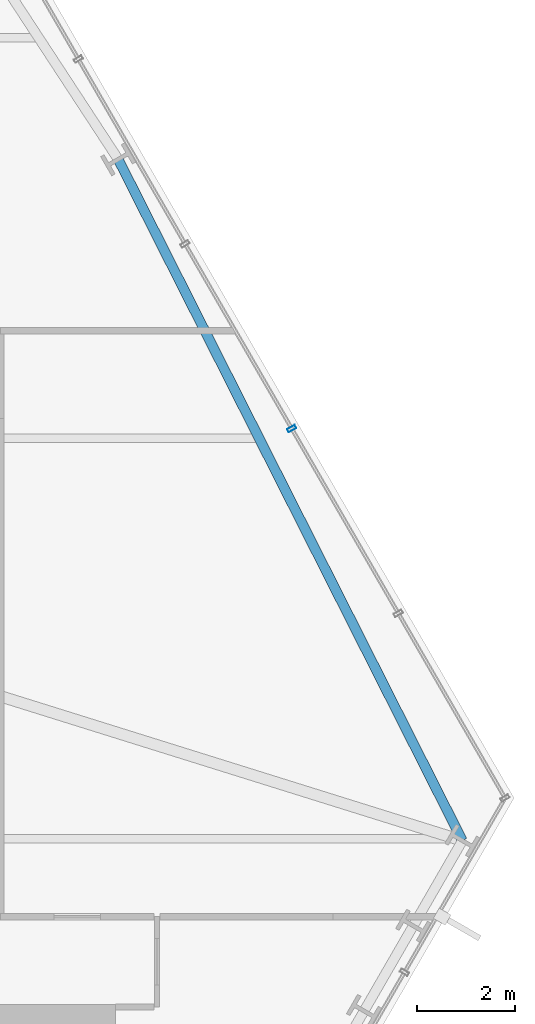
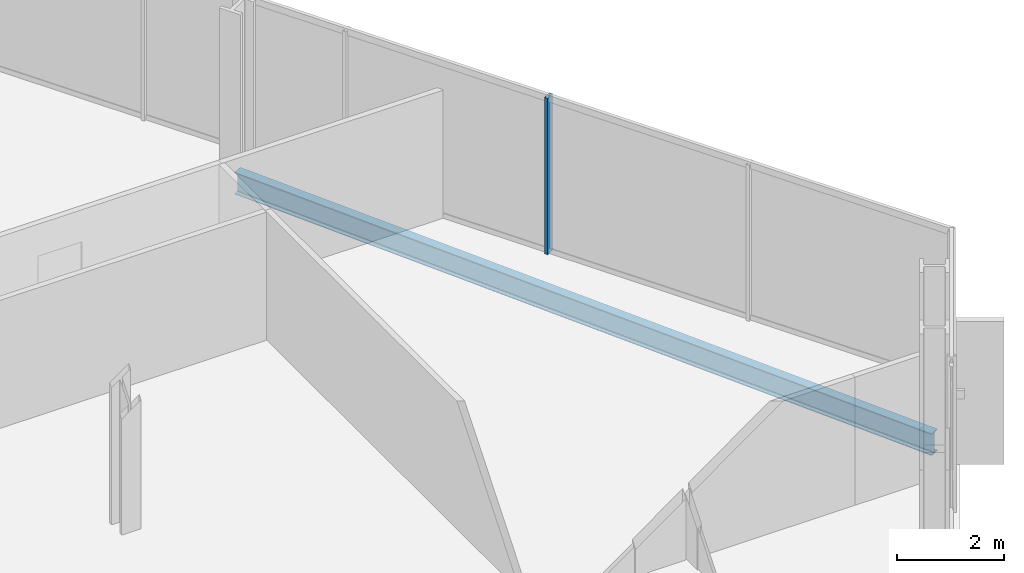
# One storey, part 17 of 33: 1 beam, 1 member, 1 element without a shape of its own.
"""IFC4 building model written with IfcOpenShell, lengths in metres."""

from ifc_helpers import new_model, si_unit, direction, frame, origin, origin_2d, place, context, subcontext, project, spatial, hollow_rectangle, i_section, extrude, material, layer, layer_set, material_profile, profile_set, type_object, element, aggregate, save


model = new_model("IFC4")

# Units and contexts
model_context = context("Model", 3, precision=1e-05, world=origin(), true_north=direction((0.0, 1.0)))
body_context = subcontext(model_context, "Body", "Model", "MODEL_VIEW")
ifc_project = project(units=[si_unit("LENGTHUNIT", "METRE"), si_unit("AREAUNIT", "SQUARE_METRE"), si_unit("VOLUMEUNIT", "CUBIC_METRE"), si_unit("PLANEANGLEUNIT", "RADIAN"), si_unit("MASSUNIT", "GRAM", prefix="KILO")], contexts=[model_context])

# Site, building, storey
site_placement = place(None, origin())
site = spatial("IfcSite", under=ifc_project, at=site_placement, CompositionType="ELEMENT")
building_placement = place(site_placement, origin())
building = spatial("IfcBuilding", under=site, at=building_placement, Name="Ndaravel Arena Tower", CompositionType="ELEMENT")
storey_placement = place(building_placement, frame((0.0, 0.0, 39.800048828125)))
storey = spatial("IfcBuildingStorey", under=building, at=storey_placement, Name="L07", CompositionType="ELEMENT", Elevation=39.800048828125)

# Beam
ifc_material_1 = material(Name="Steel S355", Category="steel")
ifc_material_profile_1 = material_profile(ifc_material_1, i_section(OverallWidth=0.199951171875, OverallDepth=0.5, WebThickness=0.01025390625, FlangeThickness=0.01611328125, FilletRadius=0.02099609375, at=origin_2d()), Name="IPE 500")
ifc_profile_set_1 = profile_set([ifc_material_profile_1], Name="Steel S355")
beam_type = type_object("IfcBeamType", Name="BM-SPAN-IPE500", PredefinedType="SPANDREL", material=ifc_profile_set_1)
beam_placement = place(storey_placement, frame((64.654052734375, 18.55810546875, -0.469970703125), z_axis=(-0.450914536682, 0.892567129469, 0.0), x_axis=(-0.892567129469, -0.450914536682, 0.0)))
element("IfcBeam", 1, at=beam_placement, inside=storey, type_object=beam_type, Name="L07 Perimeter Spandrel Beam SP-09", PredefinedType="SPANDREL", context=body_context, shape_type="SweptSolid", body=[
    extrude(i_section(OverallWidth=0.199951171875, OverallDepth=0.5, WebThickness=0.01025390625, FlangeThickness=0.01611328125, FilletRadius=0.02099609375, at=origin_2d()), origin(), (0.0, 0.0, 1.0), 15.631103515625),
])

# Curtain wall, member
ifc_material_2 = material(Name="Aluminium", Category="aluminium")
ifc_layer = layer(ifc_material_2, 0.179931640625)
ifc_layer_set = layer_set([ifc_layer], Name="Aluminium")
curtain_wall_type = type_object("IfcCurtainWallType", Name="CW-SYS-03", PredefinedType="NOTDEFINED", material=ifc_layer_set)
curtain_wall_placement = place(storey_placement, origin())
curtain_wall = element("IfcCurtainWall", 2, at=curtain_wall_placement, inside=storey, type_object=curtain_wall_type, Name="L07 Faceted Crystal Curtain Wall CW-L07-E03", PredefinedType="NOTDEFINED")
ifc_material_3 = material(Name="Aluminium", Category="aluminium")
ifc_material_profile_2 = material_profile(ifc_material_3, hollow_rectangle(XDim=0.074951171875, YDim=0.179931640625, WallThickness=0.00390625, at=origin_2d()), Name="CW MULLION 75x180x4")
ifc_profile_set_2 = profile_set([ifc_material_profile_2], Name="Aluminium")
member_type = type_object("IfcMemberType", Name="MEM-CW-MUL180", PredefinedType="MULLION", material=ifc_profile_set_2)
member_placement = place(storey_placement, frame((61.158935546875, 26.99560546875, 0.0), z_axis=(0.0, 0.0, 1.0), x_axis=(-0.5, 0.866025403784, 0.0)))
member = element("IfcMember", 3, at=member_placement, type_object=member_type, Name="CW-L07-E03 Mullion 02", PredefinedType="MULLION", context=body_context, shape_type="SweptSolid", body=[
    extrude(hollow_rectangle(XDim=0.074951171875, YDim=0.179931640625, WallThickness=0.00390625, at=origin_2d()), origin(), (0.0, 0.0, 1.0), 3.579833984375),
])
aggregate(curtain_wall, [member])

save(model, "model.ifc")
